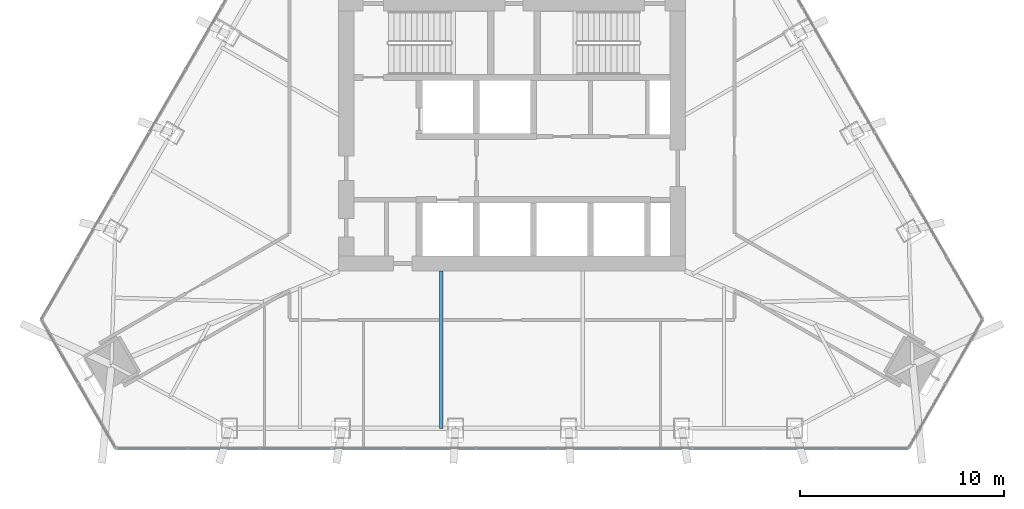
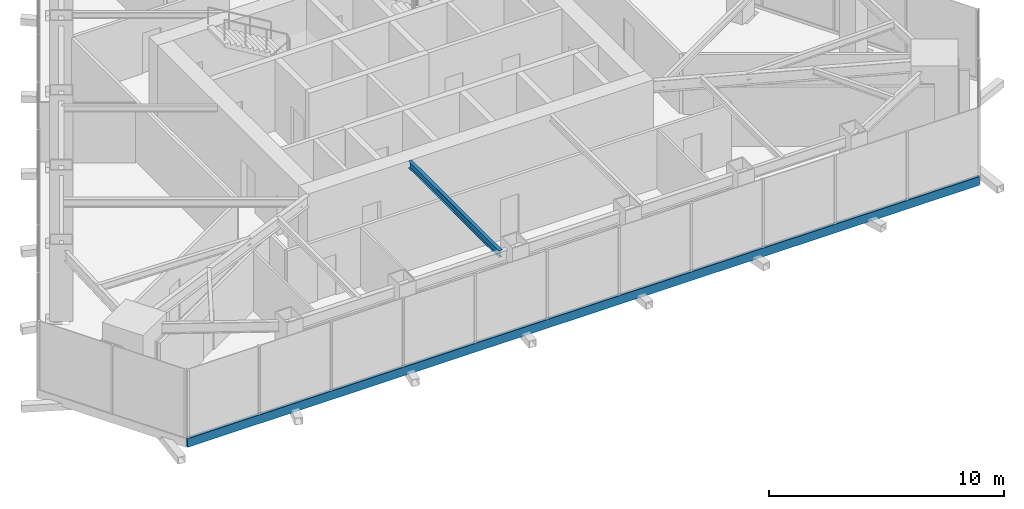
# One storey, part 3 of 14: 1 beam, 1 member, 1 element without a shape of its own.
"""IFC4 building model written with IfcOpenShell, lengths in metres."""

from ifc_helpers import new_model, si_unit, direction, frame, origin, origin_2d, place, context, subcontext, project, spatial, rectangle, i_section, extrude, material, layer, layer_set, material_profile, profile_set, type_object, element, aggregate, save


model = new_model("IFC4")

# Units and contexts
model_context = context("Model", 3, precision=1e-05, world=origin(), true_north=direction((0.0, 1.0)))
body_context = subcontext(model_context, "Body", "Model", "MODEL_VIEW")
ifc_project = project(units=[si_unit("LENGTHUNIT", "METRE"), si_unit("AREAUNIT", "SQUARE_METRE"), si_unit("VOLUMEUNIT", "CUBIC_METRE"), si_unit("PLANEANGLEUNIT", "RADIAN"), si_unit("MASSUNIT", "GRAM", prefix="KILO")], contexts=[model_context])

# Site, building, storey
site_placement = place(None, origin())
site = spatial("IfcSite", under=ifc_project, at=site_placement, CompositionType="ELEMENT")
building_placement = place(site_placement, origin())
building = spatial("IfcBuilding", under=site, at=building_placement, Name="Firuza Gate Tower and Library", CompositionType="ELEMENT")
storey_placement = place(building_placement, frame((0.0, 0.0, 331.60009765625)))
storey = spatial("IfcBuildingStorey", under=building, at=storey_placement, Name="L81", CompositionType="ELEMENT", Elevation=331.60009765625)

# Curtain wall, member
ifc_material_1 = material(Name="Aluminium 6063-T6", Category="aluminium")
ifc_layer = layer(ifc_material_1, 0.14990234375)
ifc_layer_set = layer_set([ifc_layer], Name="Ceramic screen wall, crown plant")
curtain_wall_type = type_object("IfcCurtainWallType", Name="Ceramic screen wall, crown plant", PredefinedType="NOTDEFINED", material=ifc_layer_set)
curtain_wall_placement = place(storey_placement, origin())
curtain_wall = element("IfcCurtainWall", 1, at=curtain_wall_placement, inside=storey, type_object=curtain_wall_type, Name="CW6 L81 S", PredefinedType="NOTDEFINED")
ifc_material_2 = material(Name="Aluminium 6063-T6", Category="aluminium")
ifc_material_profile_1 = material_profile(ifc_material_2, rectangle(XDim=0.14990234375, YDim=0.449951171875, at=origin_2d()))
ifc_profile_set_1 = profile_set([ifc_material_profile_1], Name="Aluminium 6063-T6")
member_type = type_object("IfcMemberType", Name="Curtain wall transom 450x150", PredefinedType="USERDEFINED", material=ifc_profile_set_1)
member_placement = place(storey_placement, frame((55.556640625, 59.5673828125, -0.0751953125), z_axis=(1.0, 0.0, 0.0), x_axis=(0.0, 1.0, 0.0)))
member = element("IfcMember", 2, at=member_placement, type_object=member_type, Name="Transom", ObjectType="TRANSOM", PredefinedType="USERDEFINED", context=body_context, shape_type="SweptSolid", body=[
    extrude(rectangle(XDim=0.14990234375, YDim=0.449951171875, at=origin_2d()), origin(), (0.0, 0.0, 1.0), 38.88671875),
])
aggregate(curtain_wall, [member])

# Beam
ifc_material_3 = material(Name="Steel S355", Category="steel")
ifc_material_profile_2 = material_profile(ifc_material_3, i_section(OverallWidth=0.1708984375, OverallDepth=0.35498046875, WebThickness=0.007080078125, FlangeThickness=0.01171875, at=origin_2d()))
ifc_profile_set_2 = profile_set([ifc_material_profile_2], Name="Steel S355")
beam_type = type_object("IfcBeamType", Name="W360x51 Floor beam", PredefinedType="JOIST", material=ifc_profile_set_2)
beam_placement = place(storey_placement, frame((71.53564453125, 60.54248046875, 3.5224609375), z_axis=(0.0, 1.0, 0.0), x_axis=(-1.0, 0.0, 0.0)))
element("IfcBeam", 3, at=beam_placement, inside=storey, type_object=beam_type, Name="Floor beam L81 s21", PredefinedType="JOIST", context=body_context, shape_type="SweptSolid", body=[
    extrude(i_section(OverallWidth=0.1708984375, OverallDepth=0.35498046875, WebThickness=0.007080078125, FlangeThickness=0.01171875, at=origin_2d()), origin(), (0.0, 0.0, 1.0), 7.70751953125),
])

save(model, "model.ifc")
